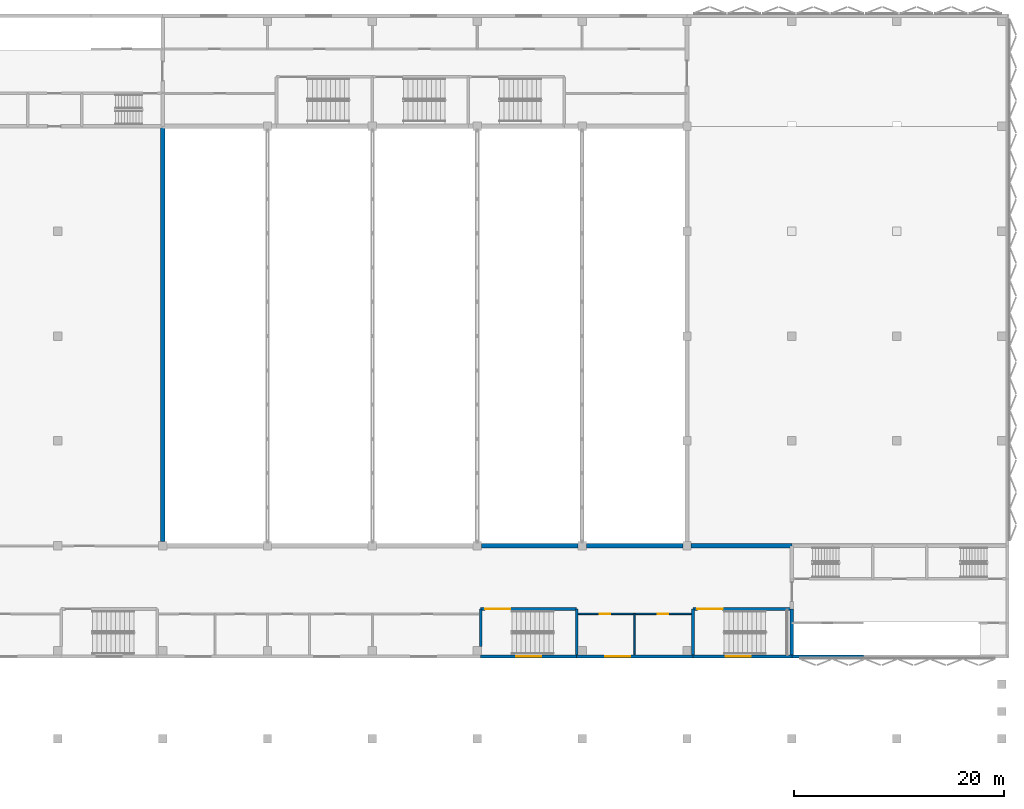
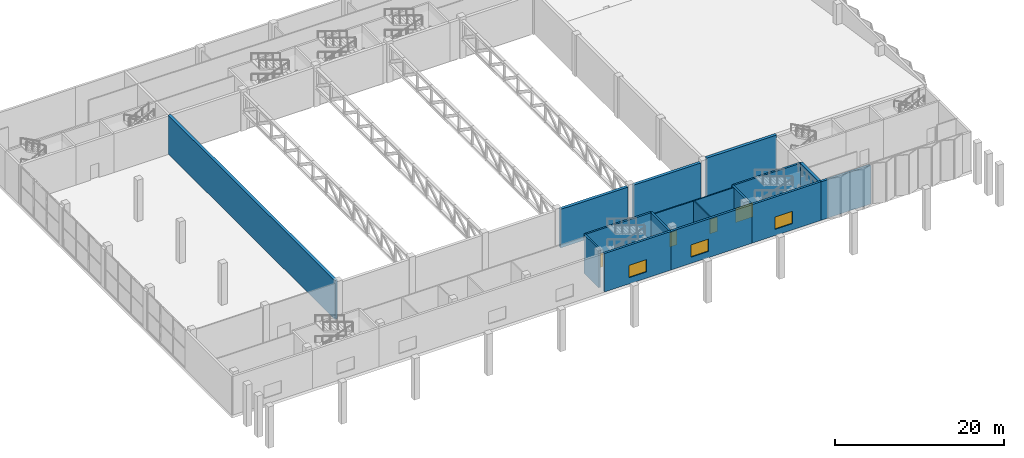
# One storey, part 32 of 51: 16 walls, 4 doors, 3 windows, 7 openings.
"""IFC4 building model written with IfcOpenShell, lengths in metres."""

import ifcopenshell
import ifcopenshell.guid

model = None  # the IFC model being written
_history = None  # IfcOwnerHistory: only IFC2X3 demands one
_inside = {}  # id of a spatial element -> (the spatial element, [elements in it])
_under = {}  # id of a project, library or spatial element -> (it, [spatial elements below it])
_declared = {}  # id of a project -> (the project, [libraries it declares])
_typed = {}  # id of a type object -> (the type object, [elements of that type])
_made_of = {}  # id of a material, layer set ... -> (it, [elements and type objects made of it])


def new_model(schema):
    """Start an empty IFC model of exactly this schema.

    Asked for "IFC4X3", IfcOpenShell would pick the latest addendum, in which some entities
    have other attributes; the version numbers below select the first issue.
    IFC2X3 requires an IfcOwnerHistory on every rooted entity: one is made here for all.
    """
    global model, _history
    if schema == "IFC4X3":
        model = ifcopenshell.file(schema_version=(4, 3, 0, 0))
    else:
        model = ifcopenshell.file(schema=schema)
    _inside.clear()
    _under.clear()
    _declared.clear()
    _typed.clear()
    _made_of.clear()
    _history = None
    if model.schema == "IFC2X3":
        org = make("IfcOrganization", Name="unknown")
        user = make(
            "IfcPersonAndOrganization",
            ThePerson=make("IfcPerson", FamilyName="unknown"),
            TheOrganization=org,
        )
        app = make(
            "IfcApplication",
            ApplicationDeveloper=org,
            Version="unknown",
            ApplicationFullName="unknown",
            ApplicationIdentifier="unknown",
        )
        _history = make(
            "IfcOwnerHistory",
            OwningUser=user,
            OwningApplication=app,
            ChangeAction="ADDED",
            CreationDate=0,
        )
    return model


def make(cls, **values):
    """One entity of the class cls with the attributes given. An attribute that is None is left unset."""
    return model.create_entity(
        cls, **{name: value for name, value in values.items() if value is not None}
    )


def rooted(cls, **values):
    """An entity with a GlobalId (a new one), such as an element, a storey or a relation."""
    return make(cls, GlobalId=ifcopenshell.guid.new(), OwnerHistory=_history, **values)


def si_unit(unit_type, name, prefix=None):
    """IfcSIUnit, for example si_unit("LENGTHUNIT", "METRE", prefix="MILLI")."""
    return make("IfcSIUnit", UnitType=unit_type, Prefix=prefix, Name=name)


def assignment(units):
    """IfcUnitAssignment: the units of a project."""
    return None if units is None else make("IfcUnitAssignment", Units=units)


def point(xyz):
    """IfcCartesianPoint."""
    return None if xyz is None else make("IfcCartesianPoint", Coordinates=xyz)


def direction(xyz):
    """IfcDirection."""
    return None if xyz is None else make("IfcDirection", DirectionRatios=xyz)


def frame(location, z_axis=None, x_axis=None):
    """IfcAxis2Placement3D, a coordinate frame: its origin and axes. An axis left out is left unset."""
    return make(
        "IfcAxis2Placement3D",
        Location=point(location),
        Axis=direction(z_axis),
        RefDirection=direction(x_axis),
    )


def frame_2d(location, x_axis=None):
    """IfcAxis2Placement2D, a coordinate frame in the plane: its origin and x axis."""
    return make(
        "IfcAxis2Placement2D", Location=point(location), RefDirection=direction(x_axis)
    )


def origin():
    """The frame at (0, 0, 0) with its axes left unset."""
    return frame((0.0, 0.0, 0.0))


def place(relative_to, where):
    """IfcLocalPlacement: puts the frame where relative to a parent placement (None: the world)."""
    return make(
        "IfcLocalPlacement", PlacementRelTo=relative_to, RelativePlacement=where
    )


def context(
    kind, dimensions, precision=None, world=None, true_north=None, identifier=None
):
    """IfcGeometricRepresentationContext, for example the 3D "Model" context."""
    return make(
        "IfcGeometricRepresentationContext",
        ContextIdentifier=identifier,
        ContextType=kind,
        CoordinateSpaceDimension=dimensions,
        Precision=precision,
        WorldCoordinateSystem=world,
        TrueNorth=true_north,
    )


def subcontext(parent, identifier, kind, view, scale=None):
    """IfcGeometricRepresentationSubContext, for example "Body" below "Model"."""
    return make(
        "IfcGeometricRepresentationSubContext",
        ContextIdentifier=identifier,
        ContextType=kind,
        ParentContext=parent,
        TargetScale=scale,
        TargetView=view,
    )


def project(units=None, contexts=None):
    """IfcProject with its units and contexts."""
    return rooted(
        "IfcProject",
        Name="project",
        RepresentationContexts=contexts,
        UnitsInContext=assignment(units),
    )


def spatial(cls, under=None, at=None, **own):
    """A site, building, storey or space (cls), placed at a placement, below another one or the project."""
    s = rooted(cls, ObjectPlacement=at, **own)
    if under is not None:
        _under.setdefault(under.id(), (under, []))[1].append(s)
    return s


def profile(cls, at=None, kind="AREA", **sizes):
    """A parametric profile (cls). Its sizes go by their IFC names, for example OverallWidth=200.0."""
    return make(cls, ProfileType=kind, Position=at, **sizes)


def rectangle(**sizes):
    """IfcRectangleProfileDef."""
    return profile("IfcRectangleProfileDef", **sizes)


def extrude(swept, where, along, depth):
    """IfcExtrudedAreaSolid: the profile swept, set in the frame where, extruded along a direction by depth."""
    return make(
        "IfcExtrudedAreaSolid",
        SweptArea=swept,
        Position=where,
        ExtrudedDirection=direction(along),
        Depth=depth,
    )


def shape(context_of_items, identifier, shape_type, items):
    """IfcShapeRepresentation: the items that make up one representation, for example the "Body"."""
    return make(
        "IfcShapeRepresentation",
        ContextOfItems=context_of_items,
        RepresentationIdentifier=identifier,
        RepresentationType=shape_type,
        Items=items,
    )


def material(Name=None, Category=None):
    """IfcMaterial."""
    return make("IfcMaterial", Name=Name, Category=Category)


def layer(
    of_material, thickness, ventilated=None, Name=None, Category=None, Priority=None
):
    """IfcMaterialLayer: one layer of a wall or slab, of a material (None: an air gap)."""
    return make(
        "IfcMaterialLayer",
        Material=of_material,
        LayerThickness=thickness,
        IsVentilated=ventilated,
        Name=Name,
        Category=Category,
        Priority=Priority,
    )


def layer_set(layers, Name=None):
    """IfcMaterialLayerSet."""
    return make("IfcMaterialLayerSet", MaterialLayers=layers, LayerSetName=Name)


def made_of(thing, what):
    """Note that an element or type object is made of a material, layer set ...; save() writes the relation."""
    if what is not None:
        _made_of.setdefault(what.id(), (what, []))[1].append(thing)
    return thing


def type_object(cls, material=None, **own):
    """A type object (cls), such as IfcWallType, which elements share."""
    return made_of(rooted(cls, **own), material)


def element(
    cls,
    number,
    at=None,
    inside=None,
    cuts=None,
    type_object=None,
    material=None,
    context=None,
    identifier="Body",
    shape_type=None,
    held_by="IfcProductDefinitionShape",
    body=None,
    shapes=None,
    **own,
):
    """One element of the class cls, such as IfcWall. Its Tag is "e" and its number.

    at: its placement. inside: the storey or other place that contains it. cuts: it is an
    opening in that element (IfcRelVoidsElement). A single representation is given by context,
    identifier, shape_type and body (its items); several are given by shapes. held_by: the class
    of the entity that holds the representations. save() writes the other relations.
    """
    e = rooted(cls, Tag="e%d" % number, ObjectPlacement=at, **own)
    if body is not None:
        shapes = [shape(context, identifier, shape_type, body)]
    if shapes is not None:
        e.Representation = make(held_by, Representations=shapes)
    if inside is not None:
        _inside.setdefault(inside.id(), (inside, []))[1].append(e)
    if cuts is not None:
        rooted(
            "IfcRelVoidsElement", RelatingBuildingElement=cuts, RelatedOpeningElement=e
        )
    if type_object is not None:
        _typed.setdefault(type_object.id(), (type_object, []))[1].append(e)
    return made_of(e, material)


def fill(opening, filler):
    """IfcRelFillsElement: the door or window that sits in an opening."""
    return rooted(
        "IfcRelFillsElement",
        RelatingOpeningElement=opening,
        RelatedBuildingElement=filler,
    )


def aggregate(whole, parts):
    """IfcRelAggregates: a whole, such as a stair, and the parts it consists of."""
    return rooted("IfcRelAggregates", RelatingObject=whole, RelatedObjects=parts)


def save(model, path):
    """Write the relations noted so far, then the file.

    IfcRelAggregates (storeys below a building ...), IfcRelContainedInSpatialStructure (elements
    in a storey), IfcRelDefinesByType, IfcRelAssociatesMaterial and IfcRelDeclares: one each for
    every whole, place, type object, material and project.
    """
    for whole, parts in _under.values():
        aggregate(whole, parts)
    for where, things in _inside.values():
        rooted(
            "IfcRelContainedInSpatialStructure",
            RelatedElements=things,
            RelatingStructure=where,
        )
    for kind, things in _typed.values():
        rooted("IfcRelDefinesByType", RelatedObjects=things, RelatingType=kind)
    for what, things in _made_of.values():
        rooted("IfcRelAssociatesMaterial", RelatedObjects=things, RelatingMaterial=what)
    for by, libraries in _declared.values():
        rooted("IfcRelDeclares", RelatingContext=by, RelatedDefinitions=libraries)
    model.write(path)


model = new_model("IFC4")

# Units and contexts
model_context = context("Model", 3, precision=1e-05, world=origin(), true_north=direction((0.0, 1.0)))
body_context = subcontext(model_context, "Body", "Model", "MODEL_VIEW")
ifc_project = project(units=[si_unit("LENGTHUNIT", "METRE"), si_unit("AREAUNIT", "SQUARE_METRE"), si_unit("VOLUMEUNIT", "CUBIC_METRE"), si_unit("PLANEANGLEUNIT", "RADIAN"), si_unit("MASSUNIT", "GRAM", prefix="KILO")], contexts=[model_context])

# Site, building, storey
site_placement = place(None, origin())
site = spatial("IfcSite", under=ifc_project, at=site_placement, CompositionType="ELEMENT")
building_placement = place(site_placement, origin())
building = spatial("IfcBuilding", under=site, at=building_placement, Name="Jabali Bay Hotel Tower and Convention Centre", CompositionType="ELEMENT")
storey_placement = place(building_placement, frame((0.0, 0.0, 9.0)))
storey = spatial("IfcBuildingStorey", under=building, at=storey_placement, Name="L01", CompositionType="ELEMENT", Elevation=9.0)

# Walls
ifc_material_1 = material(Name="Concrete C60", Category="concrete")
ifc_layer_1 = layer(ifc_material_1, 0.35009765625)
ifc_layer_set_1 = layer_set([ifc_layer_1], Name="Concrete C60")
wall_type_1 = type_object("IfcWallType", Name="CC Core Wall 350", PredefinedType="SHEAR", material=ifc_layer_set_1)
wall_1_placement = place(storey_placement, frame((230.699951171875, 49.60009765625, 0.0), z_axis=(0.0, 0.0, 1.0), x_axis=(0.0, 1.0, 0.0)))
element("IfcWall", 1, at=wall_1_placement, inside=storey, type_object=wall_type_1, Name="CC east core wall", PredefinedType="SHEAR", context=body_context, shape_type="SweptSolid", body=[
    extrude(rectangle(XDim=4.375, YDim=0.35009765625, at=frame_2d((2.1875, 0.0))), origin(), (0.0, 0.0, 1.0), 5.590087890625),
])
ifc_material_2 = material(Name="Concrete C40", Category="concrete")
ifc_layer_2 = layer(ifc_material_2, 0.300048828125)
ifc_layer_set_2 = layer_set([ifc_layer_2], Name="Concrete C40")
wall_type_2 = type_object("IfcWallType", Name="CC External Wall 300", PredefinedType="SOLIDWALL", material=ifc_layer_set_2)
wall_2_placement = place(storey_placement, frame((230.699951171875, 49.449951171875, 0.0), z_axis=(0.0, 0.0, 1.0), x_axis=(1.0, 0.0, 0.0)))
element("IfcWall", 2, at=wall_2_placement, inside=storey, type_object=wall_type_2, Name="CC wall 230", PredefinedType="SOLIDWALL", context=body_context, shape_type="SweptSolid", body=[
    extrude(rectangle(XDim=6.824951171875, YDim=0.300048828125, at=frame_2d((3.41259765625, 0.0))), origin(), (0.0, 0.0, 1.0), 5.590087890625),
])

# Wall, opening, window
wall_3_placement = place(storey_placement, frame((201.02490234375, 49.449951171875, 0.0), z_axis=(0.0, 0.0, 1.0), x_axis=(1.0, 0.0, 0.0)))
wall_3 = element("IfcWall", 3, at=wall_3_placement, inside=storey, type_object=wall_type_2, Name="CC wall 280", PredefinedType="SOLIDWALL", context=body_context, shape_type="SweptSolid", body=[
    extrude(rectangle(XDim=9.150146484375, YDim=0.300048828125, at=frame_2d((4.5751953125, 0.0))), origin(), (0.0, 0.0, 1.0), 5.590087890625),
])
opening_1_placement = place(wall_3_placement, frame((3.375, 0.0, 0.89990234375)))
opening_1 = element("IfcOpeningElement", 4, at=opening_1_placement, cuts=wall_3, Name="Opening CC-W012", PredefinedType="OPENING", context=body_context, shape_type="SweptSolid", body=[
    extrude(rectangle(XDim=2.39990234375, YDim=1.800048828125, at=frame_2d((1.199951171875, 0.89990234375))), frame((0.0, 0.16064453125, 0.0), z_axis=(0.0, -1.0, 0.0), x_axis=(1.0, 0.0, 0.0)), (0.0, 0.0, 1.0), 0.321044921875),
])
ifc_material_3 = material(Name="Aluminium 6063-T5 and glass", Category="aluminium")
window_type = type_object("IfcWindowType", Name="CC Window 2400x1800", PartitioningType="DOUBLE_PANEL_VERTICAL", PredefinedType="WINDOW", material=ifc_material_3)
window_1_placement = place(opening_1_placement, origin())
window_1 = element("IfcWindow", 5, at=window_1_placement, inside=storey, type_object=window_type, Name="CC window CC-W012", OverallHeight=1.800048828125, OverallWidth=2.39990234375, PartitioningType="DOUBLE_PANEL_VERTICAL", PredefinedType="WINDOW", context=body_context, shape_type="SweptSolid", body=[
    extrude(rectangle(XDim=2.39990234375, YDim=1.800048828125, at=frame_2d((1.199951171875, 0.89990234375))), frame((0.0, 0.030029296875, 0.0), z_axis=(0.0, -1.0, 0.0), x_axis=(1.0, 0.0, 0.0)), (0.0, 0.0, 1.0), 0.06005859375),
])
fill(opening_1, window_1)

wall_4_placement = place(storey_placement, frame((210.175048828125, 49.449951171875, 0.0), z_axis=(0.0, 0.0, 1.0), x_axis=(1.0, 0.0, 0.0)))
wall_4 = element("IfcWall", 6, at=wall_4_placement, inside=storey, type_object=wall_type_2, Name="CC wall 281", PredefinedType="SOLIDWALL", context=body_context, shape_type="SweptSolid", body=[
    extrude(rectangle(XDim=11.099853515625, YDim=0.300048828125, at=frame_2d((5.5498046875, 0.0))), origin(), (0.0, 0.0, 1.0), 5.590087890625),
])
opening_2_placement = place(wall_4_placement, frame((2.72509765625, 0.0, 0.89990234375)))
opening_2 = element("IfcOpeningElement", 7, at=opening_2_placement, cuts=wall_4, Name="Opening CC-W013", PredefinedType="OPENING", context=body_context, shape_type="SweptSolid", body=[
    extrude(rectangle(XDim=2.39990234375, YDim=1.800048828125, at=frame_2d((1.199951171875, 0.89990234375))), frame((0.0, 0.16064453125, 0.0), z_axis=(0.0, -1.0, 0.0), x_axis=(1.0, 0.0, 0.0)), (0.0, 0.0, 1.0), 0.321044921875),
])
window_2_placement = place(opening_2_placement, origin())
window_2 = element("IfcWindow", 8, at=window_2_placement, inside=storey, type_object=window_type, Name="CC window CC-W013", OverallHeight=1.800048828125, OverallWidth=2.39990234375, PartitioningType="DOUBLE_PANEL_VERTICAL", PredefinedType="WINDOW", context=body_context, shape_type="SweptSolid", body=[
    extrude(rectangle(XDim=2.39990234375, YDim=1.800048828125, at=frame_2d((1.199951171875, 0.89990234375))), frame((0.0, 0.030029296875, 0.0), z_axis=(0.0, -1.0, 0.0), x_axis=(1.0, 0.0, 0.0)), (0.0, 0.0, 1.0), 0.06005859375),
])
fill(opening_2, window_2)

wall_5_placement = place(storey_placement, frame((221.27490234375, 49.449951171875, 0.0), z_axis=(0.0, 0.0, 1.0), x_axis=(1.0, 0.0, 0.0)))
wall_5 = element("IfcWall", 9, at=wall_5_placement, inside=storey, type_object=wall_type_2, Name="CC wall 282", PredefinedType="SOLIDWALL", context=body_context, shape_type="SweptSolid", body=[
    extrude(rectangle(XDim=9.425048828125, YDim=0.300048828125, at=frame_2d((4.71240234375, 0.0))), origin(), (0.0, 0.0, 1.0), 5.590087890625),
])
opening_3_placement = place(wall_5_placement, frame((3.125, 0.0, 0.89990234375)))
opening_3 = element("IfcOpeningElement", 10, at=opening_3_placement, cuts=wall_5, Name="Opening CC-W014", PredefinedType="OPENING", context=body_context, shape_type="SweptSolid", body=[
    extrude(rectangle(XDim=2.39990234375, YDim=1.800048828125, at=frame_2d((1.199951171875, 0.89990234375))), frame((0.0, 0.16064453125, 0.0), z_axis=(0.0, -1.0, 0.0), x_axis=(1.0, 0.0, 0.0)), (0.0, 0.0, 1.0), 0.321044921875),
])
window_3_placement = place(opening_3_placement, origin())
window_3 = element("IfcWindow", 11, at=window_3_placement, inside=storey, type_object=window_type, Name="CC window CC-W014", OverallHeight=1.800048828125, OverallWidth=2.39990234375, PartitioningType="DOUBLE_PANEL_VERTICAL", PredefinedType="WINDOW", context=body_context, shape_type="SweptSolid", body=[
    extrude(rectangle(XDim=2.39990234375, YDim=1.800048828125, at=frame_2d((1.199951171875, 0.89990234375))), frame((0.0, 0.030029296875, 0.0), z_axis=(0.0, -1.0, 0.0), x_axis=(1.0, 0.0, 0.0)), (0.0, 0.0, 1.0), 0.06005859375),
])
fill(opening_3, window_3)

# Walls
ifc_layer_3 = layer(ifc_material_2, 0.39990234375)
ifc_layer_set_3 = layer_set([ifc_layer_3], Name="Concrete C40")
wall_type_3 = type_object("IfcWallType", Name="CC Hall Wall 400", PredefinedType="SHEAR", material=ifc_layer_set_3)
wall_6_placement = place(storey_placement, frame((170.699951171875, 60.39990234375, 0.0), z_axis=(0.0, 0.0, 1.0), x_axis=(0.0, 1.0, 0.0)))
element("IfcWall", 12, at=wall_6_placement, inside=storey, type_object=wall_type_3, Name="CC exhibition hall wall", PredefinedType="SHEAR", context=body_context, shape_type="SweptSolid", body=[
    extrude(rectangle(XDim=39.60009765625, YDim=0.39990234375, at=frame_2d((19.800048828125, 0.0))), origin(), (0.0, 0.0, 1.0), 5.590087890625),
])
for number, where, z_axis, x_axis, name in (
    (13, (201.10009765625, 60.0, 0.0), (0.0, 0.0, 1.0), (1.0, 0.0, 0.0), "CC exhibition hall wall"),
    (14, (211.10009765625, 60.0, 0.0), (0.0, 0.0, 1.0), (1.0, 0.0, 0.0), "CC exhibition hall wall"),
):
    element("IfcWall", number, at=place(storey_placement, frame(where, z_axis=z_axis, x_axis=x_axis)), inside=storey, type_object=wall_type_3, Name=name, PredefinedType="SHEAR", context=body_context, shape_type="SweptSolid", body=[
        extrude(rectangle(XDim=9.199951171875, YDim=0.39990234375, at=frame_2d((4.60009765625, 0.0))), origin(), (0.0, 0.0, 1.0), 5.590087890625),
    ])
wall_7_placement = place(storey_placement, frame((221.10009765625, 60.0, 0.0), z_axis=(0.0, 0.0, 1.0), x_axis=(1.0, 0.0, 0.0)))
element("IfcWall", 15, at=wall_7_placement, inside=storey, type_object=wall_type_3, Name="CC plenary hall wall", PredefinedType="SHEAR", context=body_context, shape_type="SweptSolid", body=[
    extrude(rectangle(XDim=9.599853515625, YDim=0.39990234375, at=frame_2d((4.7998046875, 0.0))), origin(), (0.0, 0.0, 1.0), 6.0),
])

# Wall, openings, doors
ifc_material_4 = material(Name="Blockwork M10", Category="masonry")
ifc_layer_4 = layer(ifc_material_4, 0.14990234375)
ifc_layer_set_4 = layer_set([ifc_layer_4], Name="Blockwork M10")
wall_type_4 = type_object("IfcWallType", Name="CC Partition 150", PredefinedType="PARTITIONING", material=ifc_layer_set_4)
wall_8_placement = place(storey_placement, frame((210.175048828125, 53.5, 0.0), z_axis=(0.0, 0.0, 1.0), x_axis=(1.0, 0.0, 0.0)))
wall_8 = element("IfcWall", 16, at=wall_8_placement, inside=storey, type_object=wall_type_4, Name="CC wall 384", PredefinedType="PARTITIONING", context=body_context, shape_type="SweptSolid", body=[
    extrude(rectangle(XDim=11.099853515625, YDim=0.14990234375, at=frame_2d((5.5498046875, 0.0))), origin(), (0.0, 0.0, 1.0), 5.590087890625),
])
opening_4_placement = place(wall_8_placement, frame((2.199951171875, 0.0, 0.0)))
opening_4 = element("IfcOpeningElement", 17, at=opening_4_placement, cuts=wall_8, Name="Opening CC-D020", PredefinedType="OPENING", context=body_context, shape_type="SweptSolid", body=[
    extrude(rectangle(XDim=1.0, YDim=2.10009765625, at=frame_2d((0.5, 1.050048828125))), frame((0.0, 0.08544921875, 0.0), z_axis=(0.0, -1.0, 0.0), x_axis=(1.0, 0.0, 0.0)), (0.0, 0.0, 1.0), 0.1708984375),
])
opening_5_placement = place(wall_8_placement, frame((7.72509765625, 0.0, 0.0)))
opening_5 = element("IfcOpeningElement", 18, at=opening_5_placement, cuts=wall_8, Name="Opening CC-D022", PredefinedType="OPENING", context=body_context, shape_type="SweptSolid", body=[
    extrude(rectangle(XDim=1.0, YDim=2.10009765625, at=frame_2d((0.5, 1.050048828125))), frame((0.0, 0.08544921875, 0.0), z_axis=(0.0, -1.0, 0.0), x_axis=(1.0, 0.0, 0.0)), (0.0, 0.0, 1.0), 0.1708984375),
])
ifc_material_5 = material(Name="Timber and steel door set", Category="steel")
door_type_1 = type_object("IfcDoorType", Name="CC Single Door 1000x2100", OperationType="NOTDEFINED", PredefinedType="DOOR", material=ifc_material_5)
door_1_placement = place(opening_4_placement, origin())
door_1 = element("IfcDoor", 19, at=door_1_placement, inside=storey, type_object=door_type_1, Name="CC door CC-D020", OperationType="SINGLE_SWING_RIGHT", OverallHeight=2.10009765625, OverallWidth=1.0, PredefinedType="DOOR", context=body_context, shape_type="SweptSolid", body=[
    extrude(rectangle(XDim=1.0, YDim=2.10009765625, at=frame_2d((0.5, 1.050048828125))), frame((0.0, 0.02490234375, 0.0), z_axis=(0.0, -1.0, 0.0), x_axis=(1.0, 0.0, 0.0)), (0.0, 0.0, 1.0), 0.050048828125),
])
fill(opening_4, door_1)
door_2_placement = place(opening_5_placement, origin())
door_2 = element("IfcDoor", 20, at=door_2_placement, inside=storey, type_object=door_type_1, Name="CC door CC-D022", OperationType="SINGLE_SWING_RIGHT", OverallHeight=2.10009765625, OverallWidth=1.0, PredefinedType="DOOR", context=body_context, shape_type="SweptSolid", body=[
    extrude(rectangle(XDim=1.0, YDim=2.10009765625, at=frame_2d((0.5, 1.050048828125))), frame((0.0, 0.02490234375, 0.0), z_axis=(0.0, -1.0, 0.0), x_axis=(1.0, 0.0, 0.0)), (0.0, 0.0, 1.0), 0.050048828125),
])
fill(opening_5, door_2)

# Wall
wall_9_placement = place(storey_placement, frame((215.699951171875, 49.60009765625, 0.0), z_axis=(0.0, 0.0, 1.0), x_axis=(0.0, 1.0, 0.0)))
element("IfcWall", 21, at=wall_9_placement, inside=storey, type_object=wall_type_4, Name="CC wall 397", PredefinedType="PARTITIONING", context=body_context, shape_type="SweptSolid", body=[
    extrude(rectangle(XDim=3.89990234375, YDim=0.14990234375, at=frame_2d((1.949951171875, 0.0))), origin(), (0.0, 0.0, 1.0), 5.590087890625),
])

# Wall, opening, door
ifc_layer_5 = layer(ifc_material_2, 0.25)
ifc_layer_set_5 = layer_set([ifc_layer_5], Name="Concrete C40")
wall_type_5 = type_object("IfcWallType", Name="CC Shaft Wall 250", PredefinedType="SHEAR", material=ifc_layer_set_5)
wall_10_placement = place(storey_placement, frame((201.02490234375, 53.97509765625, 0.0), z_axis=(0.0, 0.0, 1.0), x_axis=(1.0, 0.0, 0.0)))
wall_10 = element("IfcWall", 22, at=wall_10_placement, inside=storey, type_object=wall_type_5, Name="CC wall 388", PredefinedType="SHEAR", context=body_context, shape_type="SweptSolid", body=[
    extrude(rectangle(XDim=9.150146484375, YDim=0.25, at=frame_2d((4.5751953125, 0.0))), origin(), (0.0, 0.0, 1.0), 5.590087890625),
])
opening_6_placement = place(wall_10_placement, frame((0.425048828125, 0.0, 0.0)))
opening_6 = element("IfcOpeningElement", 23, at=opening_6_placement, cuts=wall_10, Name="Opening CC-D220", PredefinedType="OPENING", context=body_context, shape_type="SweptSolid", body=[
    extrude(rectangle(XDim=2.39990234375, YDim=2.10009765625, at=frame_2d((1.199951171875, 1.050048828125))), frame((0.0, 0.135498046875, 0.0), z_axis=(0.0, -1.0, 0.0), x_axis=(1.0, 0.0, 0.0)), (0.0, 0.0, 1.0), 0.27099609375),
])
door_type_2 = type_object("IfcDoorType", Name="CC Stair Door Pair 2400x2100", OperationType="NOTDEFINED", PredefinedType="DOOR", material=ifc_material_5)
door_3_placement = place(opening_6_placement, origin())
door_3 = element("IfcDoor", 24, at=door_3_placement, inside=storey, type_object=door_type_2, Name="CC door CC-D220", OperationType="DOUBLE_DOOR_SINGLE_SWING", OverallHeight=2.10009765625, OverallWidth=2.39990234375, PredefinedType="DOOR", context=body_context, shape_type="SweptSolid", body=[
    extrude(rectangle(XDim=2.39990234375, YDim=2.10009765625, at=frame_2d((1.199951171875, 1.050048828125))), frame((0.0, 0.02490234375, 0.0), z_axis=(0.0, -1.0, 0.0), x_axis=(1.0, 0.0, 0.0)), (0.0, 0.0, 1.0), 0.050048828125),
])
fill(opening_6, door_3)

# Walls
wall_11_placement = place(storey_placement, frame((201.02490234375, 50.39990234375, 0.0), z_axis=(0.0, 0.0, 1.0), x_axis=(0.0, 1.0, 0.0)))
element("IfcWall", 25, at=wall_11_placement, inside=storey, type_object=wall_type_5, Name="CC wall 389", PredefinedType="SHEAR", context=body_context, shape_type="SweptSolid", body=[
    extrude(rectangle(XDim=3.5751953125, YDim=0.25, at=frame_2d((1.78759765625, 0.0))), origin(), (0.0, 0.0, 1.0), 5.590087890625),
])
wall_12_placement = place(storey_placement, frame((210.175048828125, 49.60009765625, 0.0), z_axis=(0.0, 0.0, 1.0), x_axis=(0.0, 1.0, 0.0)))
element("IfcWall", 26, at=wall_12_placement, inside=storey, type_object=wall_type_5, Name="CC wall 390", PredefinedType="SHEAR", context=body_context, shape_type="SweptSolid", body=[
    extrude(rectangle(XDim=4.375, YDim=0.25, at=frame_2d((2.1875, 0.0))), origin(), (0.0, 0.0, 1.0), 5.590087890625),
])

# Wall, opening, door
wall_13_placement = place(storey_placement, frame((221.27490234375, 53.97509765625, 0.0), z_axis=(0.0, 0.0, 1.0), x_axis=(1.0, 0.0, 0.0)))
wall_13 = element("IfcWall", 27, at=wall_13_placement, inside=storey, type_object=wall_type_5, Name="CC wall 391", PredefinedType="SHEAR", context=body_context, shape_type="SweptSolid", body=[
    extrude(rectangle(XDim=9.425048828125, YDim=0.25, at=frame_2d((4.71240234375, 0.0))), origin(), (0.0, 0.0, 1.0), 5.590087890625),
])
opening_7_placement = place(wall_13_placement, frame((0.425048828125, 0.0, 0.0)))
opening_7 = element("IfcOpeningElement", 28, at=opening_7_placement, cuts=wall_13, Name="Opening CC-D226", PredefinedType="OPENING", context=body_context, shape_type="SweptSolid", body=[
    extrude(rectangle(XDim=2.39990234375, YDim=2.10009765625, at=frame_2d((1.199951171875, 1.050048828125))), frame((0.0, 0.135498046875, 0.0), z_axis=(0.0, -1.0, 0.0), x_axis=(1.0, 0.0, 0.0)), (0.0, 0.0, 1.0), 0.27099609375),
])
door_4_placement = place(opening_7_placement, origin())
door_4 = element("IfcDoor", 29, at=door_4_placement, inside=storey, type_object=door_type_2, Name="CC door CC-D226", OperationType="DOUBLE_DOOR_SINGLE_SWING", OverallHeight=2.10009765625, OverallWidth=2.39990234375, PredefinedType="DOOR", context=body_context, shape_type="SweptSolid", body=[
    extrude(rectangle(XDim=2.39990234375, YDim=2.10009765625, at=frame_2d((1.199951171875, 1.050048828125))), frame((0.0, 0.02490234375, 0.0), z_axis=(0.0, -1.0, 0.0), x_axis=(1.0, 0.0, 0.0)), (0.0, 0.0, 1.0), 0.050048828125),
])
fill(opening_7, door_4)

# Wall
wall_14_placement = place(storey_placement, frame((221.27490234375, 49.60009765625, 0.0), z_axis=(0.0, 0.0, 1.0), x_axis=(0.0, 1.0, 0.0)))
element("IfcWall", 30, at=wall_14_placement, inside=storey, type_object=wall_type_5, Name="CC wall 392", PredefinedType="SHEAR", context=body_context, shape_type="SweptSolid", body=[
    extrude(rectangle(XDim=4.375, YDim=0.25, at=frame_2d((2.1875, 0.0))), origin(), (0.0, 0.0, 1.0), 5.590087890625),
])

save(model, "model.ifc")
